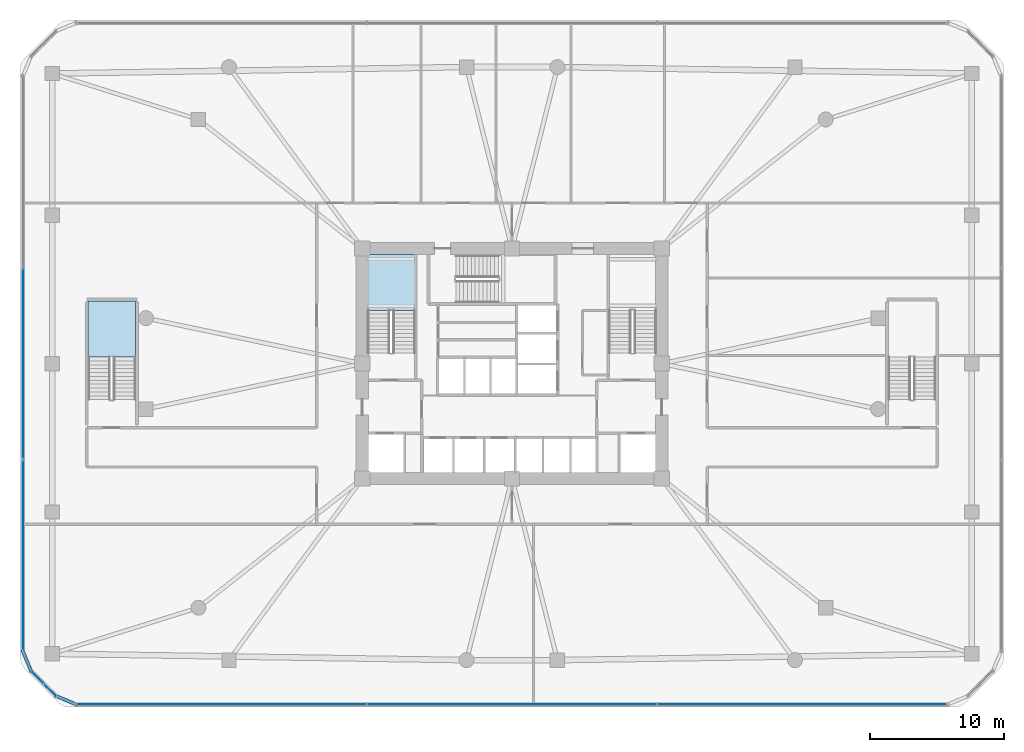
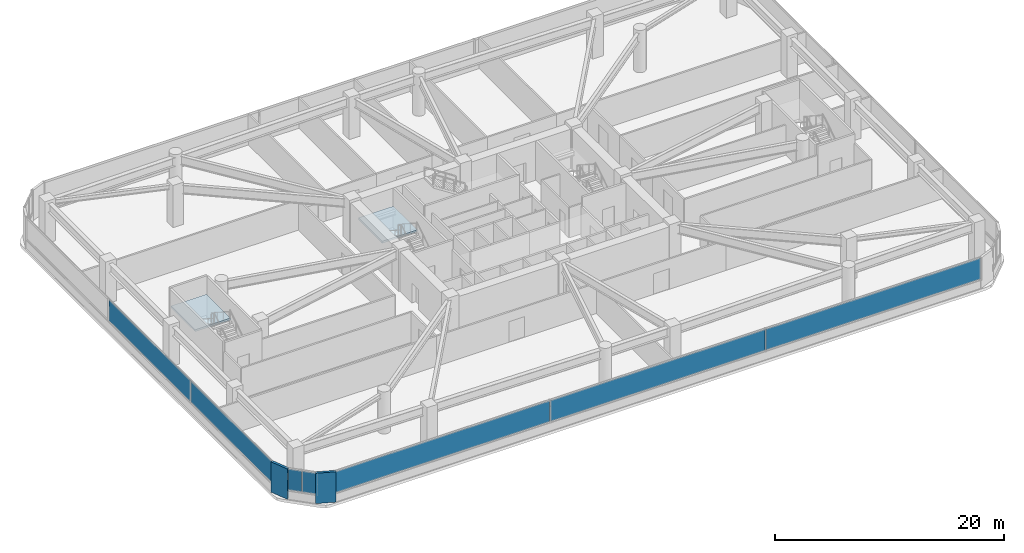
# One storey, part 12 of 21: 9 plates, 2 slabs, 5 elements without a shape of their own.
"""IFC4 building model written with IfcOpenShell, lengths in metres."""

from ifc_helpers import new_model, si_unit, derived_unit, direction, frame, origin, origin_2d, place, context, subcontext, project, spatial, polyline, rectangle, outline, extrude, material, layer, layer_set, type_object, element, aggregate, save


model = new_model("IFC4")

# Units and contexts
model_context = context("Model", 3, precision=1e-05, world=origin(), true_north=direction((0.0, 1.0)))
body_context = subcontext(model_context, "Body", "Model", "MODEL_VIEW")
ifc_project = project(units=[si_unit("LENGTHUNIT", "METRE"), si_unit("AREAUNIT", "SQUARE_METRE"), si_unit("VOLUMEUNIT", "CUBIC_METRE"), si_unit("PLANEANGLEUNIT", "RADIAN"), si_unit("MASSUNIT", "GRAM", prefix="KILO"), derived_unit("THERMALTRANSMITTANCEUNIT", [(si_unit("POWERUNIT", "WATT"), 1), (si_unit("LENGTHUNIT", "METRE"), -2), (si_unit("THERMODYNAMICTEMPERATUREUNIT", "KELVIN"), -1)])], contexts=[model_context])

# Site, building, storey
site_placement = place(None, origin())
site = spatial("IfcSite", under=ifc_project, at=site_placement, CompositionType="ELEMENT")
building_placement = place(site_placement, origin())
building = spatial("IfcBuilding", under=site, at=building_placement, Name="Koralith Skygarden Medical Center", CompositionType="ELEMENT")
storey_placement = place(building_placement, frame((0.0, 0.0, 14.39990234375)))
storey = spatial("IfcBuildingStorey", under=building, at=storey_placement, Name="L03", CompositionType="ELEMENT", Elevation=14.39990234375)

# Curtain wall, plates
ifc_material_1 = material(Name="Clear Laminated Glass", Category="glass")
curtain_wall_type = type_object("IfcCurtainWallType", Name="CW-1 Transit & Podium Acoustic Curtain Wall", PredefinedType="NOTDEFINED", material=ifc_material_1)
curtain_wall_1_placement = place(storey_placement, origin())
curtain_wall_1 = element("IfcCurtainWall", 1, at=curtain_wall_1_placement, inside=storey, type_object=curtain_wall_type, Name="Curtain Wall CW-L03-S", PredefinedType="NOTDEFINED")
ifc_layer_1 = layer(ifc_material_1, 0.030029296875)
ifc_layer_set_1 = layer_set([ifc_layer_1], Name="Clear Laminated Glass")
plate_type_1 = type_object("IfcPlateType", Name="CW-1 Hurricane Laminated IGU Panel 30", PredefinedType="CURTAIN_PANEL", material=ifc_layer_set_1)
plate_1_placement = place(storey_placement, frame((15.2529296875, 0.419921875, 0.920166015625), z_axis=(0.0, 0.0, 1.0), x_axis=(1.0, 0.0, 0.0)))
plate_1 = element("IfcPlate", 2, at=plate_1_placement, type_object=plate_type_1, Name="CW-L03-S Glazed Panel 1", PredefinedType="CURTAIN_PANEL", context=body_context, shape_type="SweptSolid", body=[
    extrude(rectangle(XDim=21.656982421875, YDim=0.030029296875, at=origin_2d()), origin(), (0.0, 0.0, 1.0), 2.25),
])
plate_2_placement = place(storey_placement, frame((37.0, 0.419921875, 0.920166015625), z_axis=(0.0, 0.0, 1.0), x_axis=(1.0, 0.0, 0.0)))
plate_2 = element("IfcPlate", 3, at=plate_2_placement, type_object=plate_type_1, Name="CW-L03-S Glazed Panel 2", PredefinedType="CURTAIN_PANEL", context=body_context, shape_type="SweptSolid", body=[
    extrude(rectangle(XDim=21.656982421875, YDim=0.030029296875, at=origin_2d()), origin(), (0.0, 0.0, 1.0), 2.25),
])
plate_3_placement = place(storey_placement, frame((58.7470703125, 0.419921875, 0.920166015625), z_axis=(0.0, 0.0, 1.0), x_axis=(1.0, 0.0, 0.0)))
plate_3 = element("IfcPlate", 4, at=plate_3_placement, type_object=plate_type_1, Name="CW-L03-S Glazed Panel 3", PredefinedType="CURTAIN_PANEL", context=body_context, shape_type="SweptSolid", body=[
    extrude(rectangle(XDim=21.656982421875, YDim=0.030029296875, at=origin_2d()), origin(), (0.0, 0.0, 1.0), 2.25),
])
aggregate(curtain_wall_1, [plate_1, plate_2, plate_3])

curtain_wall_2_placement = place(storey_placement, origin())
curtain_wall_2 = element("IfcCurtainWall", 5, at=curtain_wall_2_placement, inside=storey, type_object=curtain_wall_type, Name="Curtain Wall CW-L03-W", PredefinedType="NOTDEFINED")
plate_4_placement = place(storey_placement, frame((0.419921875, 25.89990234375, 0.920166015625), z_axis=(0.0, 0.0, 1.0), x_axis=(0.0, -1.0, 0.0)))
plate_4 = element("IfcPlate", 6, at=plate_4_placement, type_object=plate_type_1, Name="CW-L03-W Glazed Panel 2", PredefinedType="CURTAIN_PANEL", context=body_context, shape_type="SweptSolid", body=[
    extrude(rectangle(XDim=14.257080078125, YDim=0.030029296875, at=origin_2d()), origin(), (0.0, 0.0, 1.0), 2.25),
])
plate_5_placement = place(storey_placement, frame((0.419921875, 11.552978515625, 0.920166015625), z_axis=(0.0, 0.0, 1.0), x_axis=(0.0, -1.0, 0.0)))
plate_5 = element("IfcPlate", 7, at=plate_5_placement, type_object=plate_type_1, Name="CW-L03-W Glazed Panel 3", PredefinedType="CURTAIN_PANEL", context=body_context, shape_type="SweptSolid", body=[
    extrude(rectangle(XDim=14.257080078125, YDim=0.030029296875, at=origin_2d()), origin(), (0.0, 0.0, 1.0), 2.25),
])
aggregate(curtain_wall_2, [plate_4, plate_5])

curtain_wall_3_placement = place(storey_placement, origin())
curtain_wall_3 = element("IfcCurtainWall", 8, at=curtain_wall_3_placement, inside=storey, type_object=curtain_wall_type, Name="Curtain Wall CW-L03-SW", PredefinedType="NOTDEFINED")
plate_6_placement = place(storey_placement, frame((1.498046875, 2.450927734375, 0.920166015625), z_axis=(0.0, 0.0, 1.0), x_axis=(0.707106781187, -0.707106781187, 0.0)))
plate_6 = element("IfcPlate", 9, at=plate_6_placement, type_object=plate_type_1, Name="CW-L03-SW Glazed Panel 1", PredefinedType="CURTAIN_PANEL", context=body_context, shape_type="SweptSolid", body=[
    extrude(rectangle(XDim=1.258056640625, YDim=0.030029296875, at=origin_2d()), origin(), (0.0, 0.0, 1.0), 2.25),
])
plate_7_placement = place(storey_placement, frame((2.450927734375, 1.498046875, 0.920166015625), z_axis=(0.0, 0.0, 1.0), x_axis=(0.707106781187, -0.707106781187, 0.0)))
plate_7 = element("IfcPlate", 10, at=plate_7_placement, type_object=plate_type_1, Name="CW-L03-SW Glazed Panel 2", PredefinedType="CURTAIN_PANEL", context=body_context, shape_type="SweptSolid", body=[
    extrude(rectangle(XDim=1.258056640625, YDim=0.030029296875, at=origin_2d()), origin(), (0.0, 0.0, 1.0), 2.25),
])
aggregate(curtain_wall_3, [plate_6, plate_7])

# Stair, slab
ifc_material_2 = material(Name="Concrete C45/55", Category="concrete")
stair_type = type_object("IfcStairType", Name="Core Exit Dogleg Concrete Stair", PredefinedType="HALF_TURN_STAIR", material=ifc_material_2)
stair_1_placement = place(storey_placement, origin())
stair_1 = element("IfcStair", 11, at=stair_1_placement, inside=storey, type_object=stair_type, Name="L03 Smokeproof Exit Stair ST1", PredefinedType="HALF_TURN_STAIR")
ifc_layer_2 = layer(ifc_material_2, 0.199951171875)
ifc_layer_set_2 = layer_set([ifc_layer_2], Name="Concrete C45/55")
slab_type = type_object("IfcSlabType", Name="Core Exit Concrete Stair Landing 200", PredefinedType="LANDING", material=ifc_layer_set_2)
slab_1_placement = place(storey_placement, frame((0.0, 0.0, 2.050048828125)))
slab_1 = element("IfcSlab", 12, at=slab_1_placement, type_object=slab_type, Name="ST1 landing 1", PredefinedType="LANDING", context=body_context, shape_type="SweptSolid", body=[
    extrude(outline(polyline([(29.75, 29.889892578125), (29.75, 34.050048828125), (26.199951171875, 34.050048828125), (26.199951171875, 29.889892578125), (29.75, 29.889892578125)])), origin(), (0.0, 0.0, 1.0), 0.199951171875),
])
aggregate(stair_1, [slab_1])

stair_2_placement = place(storey_placement, origin())
stair_2 = element("IfcStair", 13, at=stair_2_placement, inside=storey, type_object=stair_type, Name="L03 Podium Smokeproof Exit Stair ST4", PredefinedType="HALF_TURN_STAIR")
slab_2_placement = place(storey_placement, frame((0.0, 0.0, 2.050048828125)))
slab_2 = element("IfcSlab", 14, at=slab_2_placement, type_object=slab_type, Name="ST4 landing 1", PredefinedType="LANDING", context=body_context, shape_type="SweptSolid", body=[
    extrude(outline(polyline([(8.85009765625, 26.389892578125), (8.85009765625, 30.60009765625), (5.300048828125, 30.60009765625), (5.300048828125, 26.389892578125), (8.85009765625, 26.389892578125)])), origin(), (0.0, 0.0, 1.0), 0.199951171875),
])
aggregate(stair_2, [slab_2])

# Plates
ifc_material_3 = material(Name="Warm Oolitic Limestone Cladding", Category="masonry")
ifc_layer_3 = layer(ifc_material_3, 0.239990234375)
ifc_layer_set_3 = layer_set([ifc_layer_3], Name="Warm Oolitic Limestone Cladding")
plate_type_2 = type_object("IfcPlateType", Name="Rounded-Corner Oolitic Limestone Cladding Panel 240", PredefinedType="USERDEFINED", material=ifc_layer_set_3)
for number, where, z_axis, x_axis, name in (
    (15, (0.719970703125, 3.653076171875, 0.0), (0.0, 0.0, 1.0), (0.382670532536, -0.92388487569, 0.0), "L03 Rounded-Corner Limestone Pier 7"),
    (16, (3.653076171875, 0.719970703125, 0.0), (0.0, 0.0, 1.0), (0.92388487569, -0.382670532536, 0.0), "L03 Rounded-Corner Limestone Pier 8"),
):
    element("IfcPlate", number, at=place(storey_placement, frame(where, z_axis=z_axis, x_axis=x_axis)), inside=storey, type_object=plate_type_2, Name=name, ObjectType="LIMESTONE CLADDING", PredefinedType="USERDEFINED", context=body_context, shape_type="SweptSolid", body=[
        extrude(rectangle(XDim=1.81103515625, YDim=0.239990234375, at=origin_2d()), origin(), (0.0, 0.0, 1.0), 3.239990234375),
    ])

save(model, "model.ifc")
